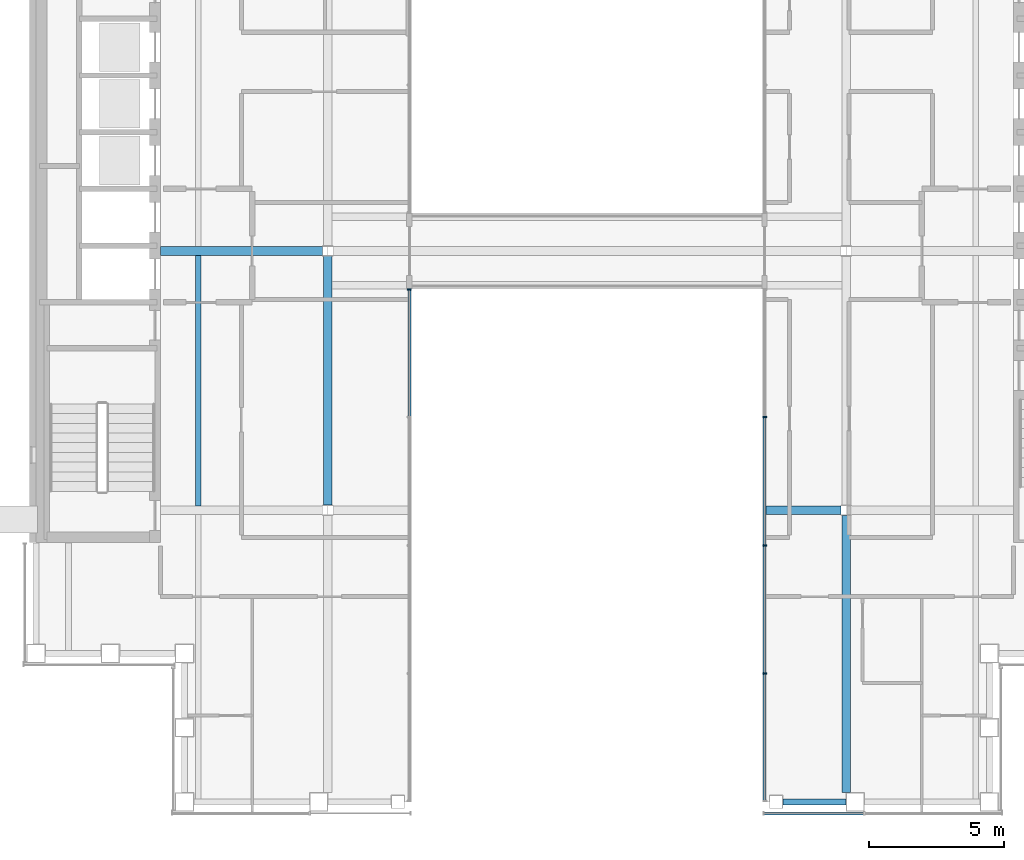
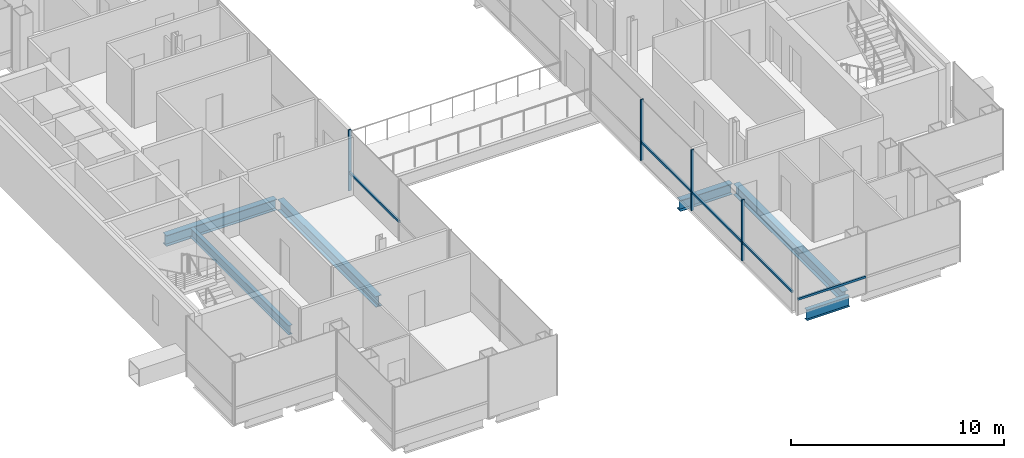
# One storey, part 4 of 16: 9 members, 6 beams, 3 elements without a shape of their own.
"""IFC4 building model written with IfcOpenShell, lengths in metres."""

from ifc_helpers import new_model, si_unit, direction, frame, origin, origin_2d, place, context, subcontext, project, spatial, rectangle, i_section, extrude, material, material_profile, profile_set, type_object, element, aggregate, save


model = new_model("IFC4")

# Units and contexts
model_context = context("Model", 3, precision=1e-05, world=origin(), true_north=direction((0.0, 1.0)))
body_context = subcontext(model_context, "Body", "Model", "MODEL_VIEW")
ifc_project = project(units=[si_unit("LENGTHUNIT", "METRE"), si_unit("AREAUNIT", "SQUARE_METRE"), si_unit("VOLUMEUNIT", "CUBIC_METRE"), si_unit("PLANEANGLEUNIT", "RADIAN"), si_unit("MASSUNIT", "GRAM", prefix="KILO")], contexts=[model_context])

# Site, building, storey
site_placement = place(None, origin())
site = spatial("IfcSite", under=ifc_project, at=site_placement, CompositionType="ELEMENT")
building_placement = place(site_placement, origin())
building = spatial("IfcBuilding", under=site, at=building_placement, Name="Cobrizo Arcos Hotel Tower", CompositionType="ELEMENT")
storey_placement = place(building_placement, frame((0.0, 0.0, 229.5)))
storey = spatial("IfcBuildingStorey", under=building, at=storey_placement, Name="L60", CompositionType="ELEMENT", Elevation=229.5)

# Curtain wall, member
ifc_material_1 = material(Name="Aluminium 6063-T6 anodised bronze", Category="aluminium")
curtain_wall_type_1 = type_object("IfcCurtainWallType", Name="CW-A guest facade", PredefinedType="NOTDEFINED", material=ifc_material_1)
curtain_wall_1_placement = place(storey_placement, origin())
curtain_wall_1 = element("IfcCurtainWall", 1, at=curtain_wall_1_placement, inside=storey, type_object=curtain_wall_type_1, Name="CW-A L60 S face", PredefinedType="NOTDEFINED")
ifc_material_profile_1 = material_profile(ifc_material_1, rectangle(XDim=0.10009765625, YDim=0.1201171875, at=origin_2d()), Name="CW-A transom 120x100")
ifc_profile_set_1 = profile_set([ifc_material_profile_1], Name="Aluminium 6063-T6 anodised bronze")
member_type_1 = type_object("IfcMemberType", Name="CW-A transom 120x100", PredefinedType="USERDEFINED", material=ifc_profile_set_1)
member_1_placement = place(storey_placement, frame((6.56005859375, -20.824951171875, 0.929931640625), z_axis=(1.0, 0.0, 0.0), x_axis=(0.0, 1.0, 0.0)))
member_1 = element("IfcMember", 2, at=member_1_placement, type_object=member_type_1, Name="CW-A transom 1950", ObjectType="TRANSOM", PredefinedType="USERDEFINED", context=body_context, shape_type="SweptSolid", body=[
    extrude(rectangle(XDim=0.10009765625, YDim=0.1201171875, at=origin_2d()), origin(), (0.0, 0.0, 1.0), 3.676513671875),
])
aggregate(curtain_wall_1, [member_1])

# Curtain wall, members
curtain_wall_type_2 = type_object("IfcCurtainWallType", Name="CW-F void screen", PredefinedType="NOTDEFINED", material=ifc_material_1)
curtain_wall_2_placement = place(storey_placement, origin())
curtain_wall_2 = element("IfcCurtainWall", 3, at=curtain_wall_2_placement, inside=storey, type_object=curtain_wall_type_2, Name="CW-F L60 void screen C", PredefinedType="NOTDEFINED")
ifc_material_profile_2 = material_profile(ifc_material_1, rectangle(XDim=0.14990234375, YDim=0.06005859375, at=origin_2d()), Name="CW-F mullion 150x60")
ifc_profile_set_2 = profile_set([ifc_material_profile_2], Name="Aluminium 6063-T6 anodised bronze")
member_type_2 = type_object("IfcMemberType", Name="CW-F mullion 150x60", PredefinedType="MULLION", material=ifc_profile_set_2)
member_2_placement = place(storey_placement, frame((6.574951171875, -15.64990234375, 0.0), z_axis=(0.0, 0.0, 1.0), x_axis=(1.0, 0.0, 0.0)))
member_2 = element("IfcMember", 4, at=member_2_placement, type_object=member_type_2, Name="CW-F mullion 2", PredefinedType="MULLION", context=body_context, shape_type="SweptSolid", body=[
    extrude(rectangle(XDim=0.14990234375, YDim=0.06005859375, at=origin_2d()), origin(), (0.0, 0.0, 1.0), 3.5),
])
member_3_placement = place(storey_placement, frame((6.574951171875, -10.89990234375, 0.0), z_axis=(0.0, 0.0, 1.0), x_axis=(1.0, 0.0, 0.0)))
member_3 = element("IfcMember", 5, at=member_3_placement, type_object=member_type_2, Name="CW-F mullion 3", PredefinedType="MULLION", context=body_context, shape_type="SweptSolid", body=[
    extrude(rectangle(XDim=0.14990234375, YDim=0.06005859375, at=origin_2d()), origin(), (0.0, 0.0, 1.0), 3.5),
])
member_4_placement = place(storey_placement, frame((6.574951171875, -6.14990234375, 0.0), z_axis=(0.0, 0.0, 1.0), x_axis=(1.0, 0.0, 0.0)))
member_4 = element("IfcMember", 6, at=member_4_placement, type_object=member_type_2, Name="CW-F mullion 4", PredefinedType="MULLION", context=body_context, shape_type="SweptSolid", body=[
    extrude(rectangle(XDim=0.14990234375, YDim=0.06005859375, at=origin_2d()), origin(), (0.0, 0.0, 1.0), 3.5),
])

# Curtain wall, member
curtain_wall_3_placement = place(storey_placement, origin())
curtain_wall_3 = element("IfcCurtainWall", 7, at=curtain_wall_3_placement, inside=storey, type_object=curtain_wall_type_2, Name="CW-F L60 void screen C", PredefinedType="NOTDEFINED")
member_5_placement = place(storey_placement, frame((-6.574951171875, -1.429931640625, 0.0), z_axis=(0.0, 0.0, 1.0), x_axis=(-1.0, 0.0, 0.0)))
member_5 = element("IfcMember", 8, at=member_5_placement, type_object=member_type_2, Name="CW-F mullion 1", PredefinedType="MULLION", context=body_context, shape_type="SweptSolid", body=[
    extrude(rectangle(XDim=0.14990234375, YDim=0.06005859375, at=origin_2d()), origin(), (0.0, 0.0, 1.0), 3.5),
])

# Member
ifc_material_profile_3 = material_profile(ifc_material_1, rectangle(XDim=0.10009765625, YDim=0.1201171875, at=origin_2d()), Name="CW-F transom 120x100")
ifc_profile_set_3 = profile_set([ifc_material_profile_3], Name="Aluminium 6063-T6 anodised bronze")
member_type_3 = type_object("IfcMemberType", Name="CW-F transom 120x100", PredefinedType="USERDEFINED", material=ifc_profile_set_3)
member_6_placement = place(storey_placement, frame((6.574951171875, -20.340087890625, 1.050048828125), z_axis=(0.0, 1.0, 0.0), x_axis=(-1.0, 0.0, 0.0)))
member_6 = element("IfcMember", 9, at=member_6_placement, type_object=member_type_3, Name="CW-F transom 2732", ObjectType="TRANSOM", PredefinedType="USERDEFINED", context=body_context, shape_type="SweptSolid", body=[
    extrude(rectangle(XDim=0.10009765625, YDim=0.1201171875, at=origin_2d()), origin(), (0.0, 0.0, 1.0), 4.66015625),
])

member_7_placement = place(storey_placement, frame((6.574951171875, -15.6201171875, 1.050048828125), z_axis=(0.0, 1.0, 0.0), x_axis=(-1.0, 0.0, 0.0)))
member_7 = element("IfcMember", 10, at=member_7_placement, type_object=member_type_3, Name="CW-F transom 2733", ObjectType="TRANSOM", PredefinedType="USERDEFINED", context=body_context, shape_type="SweptSolid", body=[
    extrude(rectangle(XDim=0.10009765625, YDim=0.1201171875, at=origin_2d()), origin(), (0.0, 0.0, 1.0), 4.690185546875),
])

member_8_placement = place(storey_placement, frame((6.574951171875, -10.8701171875, 1.050048828125), z_axis=(0.0, 1.0, 0.0), x_axis=(-1.0, 0.0, 0.0)))
member_8 = element("IfcMember", 11, at=member_8_placement, type_object=member_type_3, Name="CW-F transom 2734", ObjectType="TRANSOM", PredefinedType="USERDEFINED", context=body_context, shape_type="SweptSolid", body=[
    extrude(rectangle(XDim=0.10009765625, YDim=0.1201171875, at=origin_2d()), origin(), (0.0, 0.0, 1.0), 4.690185546875),
])

aggregate(curtain_wall_2, [member_2, member_3, member_4, member_6, member_7, member_8])

member_9_placement = place(storey_placement, frame((-6.574951171875, -1.4599609375, 1.050048828125), z_axis=(0.0, -1.0, 0.0), x_axis=(1.0, 0.0, 0.0)))
member_9 = element("IfcMember", 12, at=member_9_placement, type_object=member_type_3, Name="CW-F transom 2744", ObjectType="TRANSOM", PredefinedType="USERDEFINED", context=body_context, shape_type="SweptSolid", body=[
    extrude(rectangle(XDim=0.10009765625, YDim=0.1201171875, at=origin_2d()), origin(), (0.0, 0.0, 1.0), 4.66015625),
])

aggregate(curtain_wall_3, [member_5, member_9])

# Beams
ifc_material_2 = material(Name="Steel ASTM A992 Grade 50", Category="steel")
ifc_material_profile_4 = material_profile(ifc_material_2, i_section(OverallWidth=0.209228515625, OverallDepth=0.533447265625, WebThickness=0.01025390625, FlangeThickness=0.015625, at=origin_2d()), Name="W21X62")
ifc_profile_set_4 = profile_set([ifc_material_profile_4], Name="Steel ASTM A992 Grade 50")
beam_type_1 = type_object("IfcBeamType", Name="W21X62 joist", PredefinedType="JOIST", material=ifc_profile_set_4)
beam_1_placement = place(storey_placement, frame((-14.39990234375, -9.43603515625, -0.416748046875), z_axis=(0.0, 1.0, 0.0), x_axis=(-1.0, 0.0, 0.0)))
element("IfcBeam", 13, at=beam_1_placement, inside=storey, type_object=beam_type_1, Name="Floor joist J1, L60, no. 004", PredefinedType="JOIST", context=body_context, shape_type="SweptSolid", body=[
    extrude(i_section(OverallWidth=0.209228515625, OverallDepth=0.533447265625, WebThickness=0.01025390625, FlangeThickness=0.015625, at=origin_2d()), origin(), (0.0, 0.0, 1.0), 9.272216796875),
])
ifc_material_profile_5 = material_profile(ifc_material_2, i_section(OverallWidth=0.32763671875, OverallDepth=0.622314453125, WebThickness=0.015380859375, FlangeThickness=0.0244140625, at=origin_2d()), Name="W24X131")
ifc_profile_set_5 = profile_set([ifc_material_profile_5], Name="Steel ASTM A992 Grade 50")
beam_type_2 = type_object("IfcBeamType", Name="W24X131 girder", PredefinedType="BEAM", material=ifc_profile_set_5)
beam_2_placement = place(storey_placement, frame((6.590087890625, -9.60009765625, -0.461181640625), z_axis=(1.0, 0.0, 0.0), x_axis=(0.0, 1.0, 0.0)))
element("IfcBeam", 14, at=beam_2_placement, inside=storey, type_object=beam_type_2, Name="Floor girder G1, L60, no. 003", PredefinedType="BEAM", context=body_context, shape_type="SweptSolid", body=[
    extrude(i_section(OverallWidth=0.32763671875, OverallDepth=0.622314453125, WebThickness=0.015380859375, FlangeThickness=0.0244140625, at=origin_2d()), origin(), (0.0, 0.0, 1.0), 2.8232421875),
])
beam_3_placement = place(storey_placement, frame((-15.7900390625, 0.0, -0.461181640625), z_axis=(1.0, 0.0, 0.0), x_axis=(0.0, 1.0, 0.0)))
element("IfcBeam", 15, at=beam_3_placement, inside=storey, type_object=beam_type_2, Name="Floor girder G1, L60, no. 005", PredefinedType="BEAM", context=body_context, shape_type="SweptSolid", body=[
    extrude(i_section(OverallWidth=0.32763671875, OverallDepth=0.622314453125, WebThickness=0.015380859375, FlangeThickness=0.0244140625, at=origin_2d()), origin(), (0.0, 0.0, 1.0), 6.00341796875),
])
beam_4_placement = place(storey_placement, frame((-9.60009765625, -9.413330078125, -0.461181640625), z_axis=(0.0, 1.0, 0.0), x_axis=(-1.0, 0.0, 0.0)))
element("IfcBeam", 16, at=beam_4_placement, inside=storey, type_object=beam_type_2, Name="Floor girder G1, L60, no. 013", PredefinedType="BEAM", context=body_context, shape_type="SweptSolid", body=[
    extrude(i_section(OverallWidth=0.32763671875, OverallDepth=0.622314453125, WebThickness=0.015380859375, FlangeThickness=0.0244140625, at=origin_2d()), origin(), (0.0, 0.0, 1.0), 9.2265625),
])
beam_5_placement = place(storey_placement, frame((9.60009765625, -20.050048828125, -0.461181640625), z_axis=(0.0, 1.0, 0.0), x_axis=(-1.0, 0.0, 0.0)))
element("IfcBeam", 17, at=beam_5_placement, inside=storey, type_object=beam_type_2, Name="Floor girder G1, L60, no. 016", PredefinedType="BEAM", context=body_context, shape_type="SweptSolid", body=[
    extrude(i_section(OverallWidth=0.32763671875, OverallDepth=0.622314453125, WebThickness=0.015380859375, FlangeThickness=0.0244140625, at=origin_2d()), origin(), (0.0, 0.0, 1.0), 10.263427734375),
])
ifc_material_profile_6 = material_profile(ifc_material_2, i_section(OverallWidth=0.228271484375, OverallDepth=0.607177734375, WebThickness=0.01123046875, FlangeThickness=0.017333984375, at=origin_2d()), Name="W24X76")
ifc_profile_set_6 = profile_set([ifc_material_profile_6], Name="Steel ASTM A992 Grade 50")
beam_type_3 = type_object("IfcBeamType", Name="W24X76 spandrel", PredefinedType="SPANDREL", material=ifc_profile_set_6)
beam_6_placement = place(storey_placement, frame((9.5830078125, -20.39990234375, -0.45361328125), z_axis=(-1.0, 0.0, 0.0), x_axis=(0.0, -1.0, 0.0)))
element("IfcBeam", 18, at=beam_6_placement, inside=storey, type_object=beam_type_3, Name="Spandrel beam W24X76, L60, no. 010", PredefinedType="SPANDREL", context=body_context, shape_type="SweptSolid", body=[
    extrude(i_section(OverallWidth=0.228271484375, OverallDepth=0.607177734375, WebThickness=0.01123046875, FlangeThickness=0.017333984375, at=origin_2d()), origin(), (0.0, 0.0, 1.0), 2.3330078125),
])

save(model, "model.ifc")
